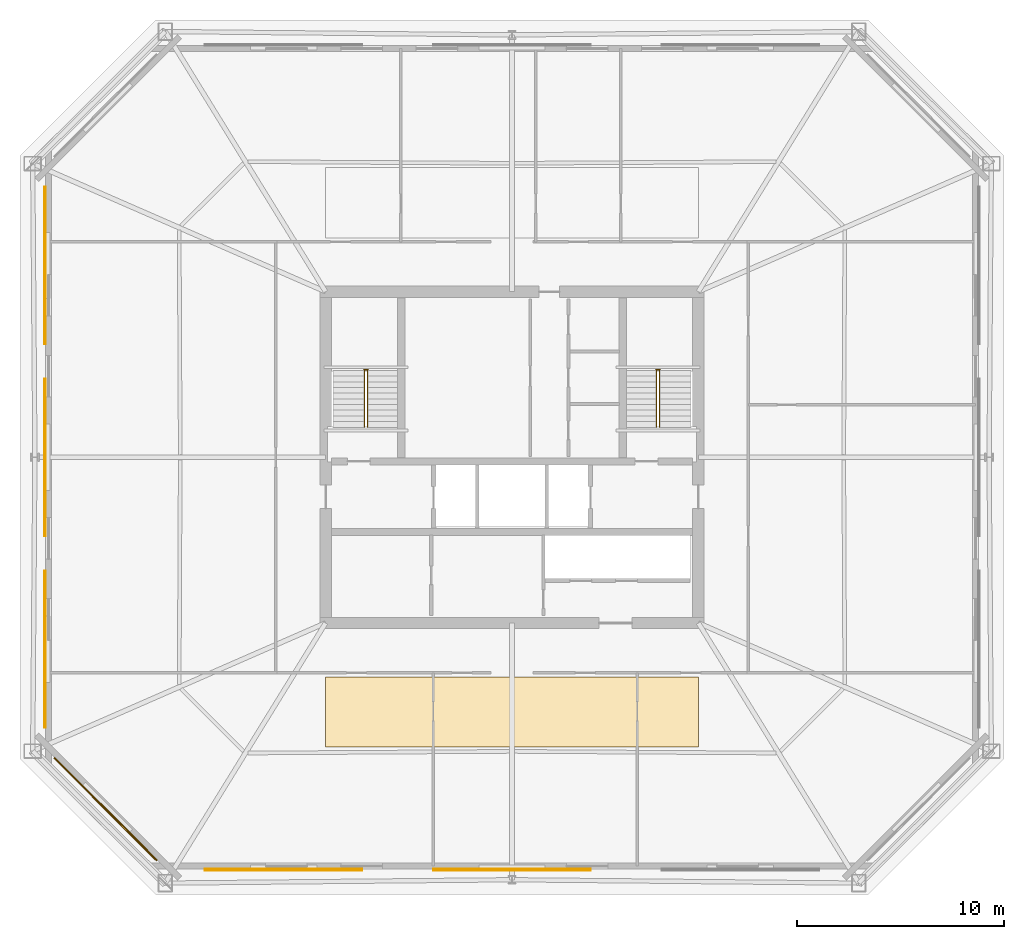
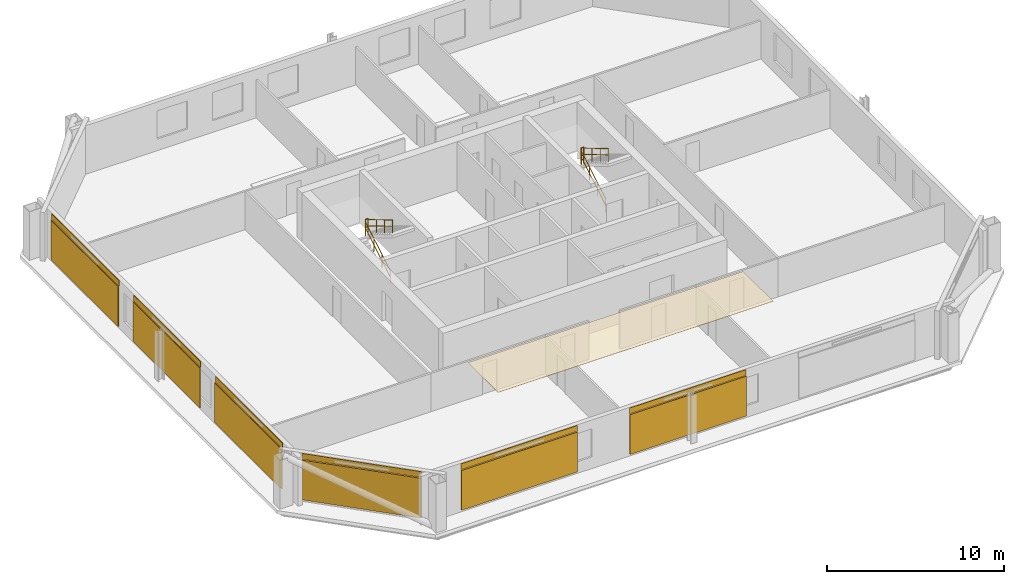
# One storey, part 5 of 6: 7 coverings, 6 railings, 6 shading devices.
"""IFC4 building model written with IfcOpenShell, lengths in metres."""

from ifc_helpers import new_model, si_unit, direction, frame, origin, origin_2d, place, context, subcontext, project, spatial, polyline, rectangle, circle, outline, extrude, material, layer, layer_set, type_object, element, save


model = new_model("IFC4")

# Units and contexts
model_context = context("Model", 3, precision=1e-05, world=origin(), true_north=direction((0.0, 1.0)))
body_context = subcontext(model_context, "Body", "Model", "MODEL_VIEW")
ifc_project = project(units=[si_unit("LENGTHUNIT", "METRE"), si_unit("AREAUNIT", "SQUARE_METRE"), si_unit("VOLUMEUNIT", "CUBIC_METRE"), si_unit("PLANEANGLEUNIT", "RADIAN"), si_unit("MASSUNIT", "GRAM", prefix="KILO")], contexts=[model_context])

# Site, building, storey
site_placement = place(None, origin())
site = spatial("IfcSite", under=ifc_project, at=site_placement, CompositionType="ELEMENT")
building_placement = place(site_placement, origin())
building = spatial("IfcBuilding", under=site, at=building_placement, Name="Caelvoria Tower", CompositionType="ELEMENT")
storey_placement = place(building_placement, frame((0.0, 0.0, 180.60009765625)))
storey = spatial("IfcBuildingStorey", under=building, at=storey_placement, Name="L47", CompositionType="ELEMENT", Elevation=180.60009765625)

# Coverings
ifc_material_1 = material(Name="Acoustic Mineral Fibre Tile", Category="gypsum")
ifc_layer_1 = layer(ifc_material_1, 0.02490234375, Name="Acoustic Mineral Fibre Tile")
ifc_layer_set_1 = layer_set([ifc_layer_1], Name="Mineral-Fibre Acoustic Suspended Ceiling 25 - Acoustic Mineral Fibre Tile")
covering_type_1 = type_object("IfcCoveringType", Name="Mineral-Fibre Acoustic Suspended Ceiling 25", PredefinedType="CEILING", material=ifc_layer_set_1)
covering_1_placement = place(storey_placement, frame((0.0, 0.0, 2.635009765625)))
element("IfcCovering", 1, at=covering_1_placement, inside=storey, type_object=covering_type_1, Name="Suspended Acoustic Ceiling L47", PredefinedType="CEILING", context=body_context, shape_type="SweptSolid", body=[
    extrude(outline(polyline([(37.0, 18.0), (55.0, 18.0), (55.0, 21.39990234375), (37.0, 21.39990234375), (37.0, 18.0)])), origin(), (0.0, 0.0, 1.0), 0.02490234375),
])
ifc_material_2 = material(Name="Perforated Architectural Bronze Cladding Screen", Category="bronze")
ifc_layer_2 = layer(ifc_material_2, 0.0400390625, Name="Perforated Architectural Bronze Cladding Screen")
ifc_layer_set_2 = layer_set([ifc_layer_2], Name="Perforated Bronze Louvre Cladding Band 40 - Perforated Architectural Bronze Cladding Screen")
covering_type_2 = type_object("IfcCoveringType", Name="Perforated Bronze Louvre Cladding Band 40", PredefinedType="CLADDING", material=ifc_layer_set_2)
for number, where, z_axis, x_axis, name in (
    (2, (34.973388671875, 12.10791015625, 2.93994140625), (0.0, 0.0, 1.0), (1.0, 0.0, 0.0), "Perforated Bronze Screen Band L47-E0-00"),
    (3, (46.0, 12.10791015625, 2.93994140625), (0.0, 0.0, 1.0), (1.0, 0.0, 0.0), "Perforated Bronze Screen Band L47-E0-01"),
    (4, (23.468017578125, 41.2666015625, 2.93994140625), (0.0, 0.0, 1.0), (0.0, -1.0, 0.0), "Perforated Bronze Screen Band L47-E6-00"),
    (5, (23.468017578125, 32.0, 2.93994140625), (0.0, 0.0, 1.0), (0.0, -1.0, 0.0), "Perforated Bronze Screen Band L47-E6-01"),
    (6, (23.468017578125, 22.7333984375, 2.93994140625), (0.0, 0.0, 1.0), (0.0, -1.0, 0.0), "Perforated Bronze Screen Band L47-E6-02"),
):
    element("IfcCovering", number, at=place(storey_placement, frame(where, z_axis=z_axis, x_axis=x_axis)), inside=storey, type_object=covering_type_2, Name=name, PredefinedType="CLADDING", context=body_context, shape_type="SweptSolid", body=[
        extrude(rectangle(XDim=7.60009765625, YDim=0.0400390625, at=origin_2d()), origin(), (0.0, 0.0, 1.0), 0.39990234375),
    ])
covering_2_placement = place(storey_placement, frame((26.38818359375, 15.0283203125, 2.93994140625), z_axis=(0.0, 0.0, 1.0), x_axis=(0.707106781187, -0.707106781187, 0.0)))
element("IfcCovering", 7, at=covering_2_placement, inside=storey, type_object=covering_type_2, Name="Perforated Bronze Screen Band L47-E7-00", PredefinedType="CLADDING", context=body_context, shape_type="SweptSolid", body=[
    extrude(rectangle(XDim=7.00244140625, YDim=0.0400390625, at=origin_2d()), origin(), (0.0, 0.0, 1.0), 0.39990234375),
])

# Shading devices
ifc_material_3 = material(Name="Perforated Architectural Bronze Alloy Panel", Category="bronze")
ifc_layer_3 = layer(ifc_material_3, 0.044921875, Name="Perforated Architectural Bronze Alloy Panel")
ifc_layer_set_3 = layer_set([ifc_layer_3], Name="Perforated Bronze Solar Screen Panel SCREEN - Perforated Architectural Bronze Alloy Panel")
shading_device_type = type_object("IfcShadingDeviceType", Name="Perforated Bronze Solar Screen Panel SCREEN", PredefinedType="USERDEFINED", material=ifc_layer_set_3)
for number, where, z_axis, x_axis, name in (
    (8, (34.973388671875, 12.06494140625, 0.159912109375), (0.0, 0.0, 1.0), (1.0, 0.0, 0.0), "Perforated Bronze Solar Screen L47-E0-00"),
    (9, (46.0, 12.06494140625, 0.159912109375), (0.0, 0.0, 1.0), (1.0, 0.0, 0.0), "Perforated Bronze Solar Screen L47-E0-01"),
    (10, (23.425048828125, 41.2666015625, 0.159912109375), (0.0, 0.0, 1.0), (0.0, -1.0, 0.0), "Perforated Bronze Solar Screen L47-E6-00"),
    (11, (23.425048828125, 32.0, 0.159912109375), (0.0, 0.0, 1.0), (0.0, -1.0, 0.0), "Perforated Bronze Solar Screen L47-E6-01"),
    (12, (23.425048828125, 22.7333984375, 0.159912109375), (0.0, 0.0, 1.0), (0.0, -1.0, 0.0), "Perforated Bronze Solar Screen L47-E6-02"),
):
    element("IfcShadingDevice", number, at=place(storey_placement, frame(where, z_axis=z_axis, x_axis=x_axis)), inside=storey, type_object=shading_device_type, Name=name, ObjectType="SCREEN", PredefinedType="USERDEFINED", context=body_context, shape_type="SweptSolid", body=[
        extrude(rectangle(XDim=7.60009765625, YDim=0.044921875, at=origin_2d()), origin(), (0.0, 0.0, 1.0), 2.75),
    ])
shading_device_placement = place(storey_placement, frame((26.35791015625, 14.997802734375, 0.159912109375), z_axis=(0.0, 0.0, 1.0), x_axis=(0.707106781187, -0.707106781187, 0.0)))
element("IfcShadingDevice", 13, at=shading_device_placement, inside=storey, type_object=shading_device_type, Name="Perforated Bronze Solar Screen L47-E7-00", ObjectType="SCREEN", PredefinedType="USERDEFINED", context=body_context, shape_type="SweptSolid", body=[
    extrude(rectangle(XDim=7.00244140625, YDim=0.044921875, at=origin_2d()), origin(), (0.0, 0.0, 1.0), 2.75),
])

# Railings
ifc_material_4 = material(Name="Brushed Stainless Steel Tube", Category="steel")
railing_type_1 = type_object("IfcRailingType", Name="Stair Tubular Stainless Handrail 920", PredefinedType="HANDRAIL", material=ifc_material_4)
railing_1_placement = place(storey_placement, frame((38.8701171875, 33.449951171875, 0.16357421875)))
element("IfcRailing", 14, at=railing_1_placement, inside=storey, type_object=railing_type_1, Name="ST-01 Flight 1 Handrail L47", PredefinedType="HANDRAIL", context=body_context, shape_type="SweptSolid", body=[
    extrude(circle(Radius=0.02392578125, at=origin_2d()), frame((0.0, 0.0, 0.89599609375), z_axis=(0.0, 0.859385484447, 0.511328259656), x_axis=(-1.0, 0.0, 0.0)), (0.0, 0.0, 1.0), 3.199951171875),
    extrude(circle(Radius=0.02392578125, at=origin_2d()), frame((0.0, 0.0, 0.4599609375), z_axis=(0.0, 0.859385484447, 0.511328259656), x_axis=(-1.0, 0.0, 0.0)), (0.0, 0.0, 1.0), 3.199951171875),
    extrude(circle(Radius=0.02099609375, at=origin_2d()), origin(), (0.0, 0.0, 1.0), 0.871826171875),
    extrude(circle(Radius=0.02099609375, at=origin_2d()), frame((0.0, 0.916748046875, 0.54541015625)), (0.0, 0.0, 1.0), 0.871826171875),
    extrude(circle(Radius=0.02099609375, at=origin_2d()), frame((0.0, 1.833251953125, 1.0908203125)), (0.0, 0.0, 1.0), 0.871826171875),
    extrude(circle(Radius=0.02099609375, at=origin_2d()), frame((0.0, 2.75, 1.63623046875)), (0.0, 0.0, 1.0), 0.871826171875),
])
railing_2_placement = place(storey_placement, frame((39.030029296875, 36.199951171875, 1.963623046875)))
element("IfcRailing", 15, at=railing_2_placement, inside=storey, type_object=railing_type_1, Name="ST-01 Flight 2 Handrail L47", PredefinedType="HANDRAIL", context=body_context, shape_type="SweptSolid", body=[
    extrude(circle(Radius=0.02392578125, at=origin_2d()), frame((0.0, 0.0, 0.89599609375), z_axis=(0.0, -0.859385484447, 0.511328259656), x_axis=(1.0, 0.0, 0.0)), (0.0, 0.0, 1.0), 3.199951171875),
    extrude(circle(Radius=0.02392578125, at=origin_2d()), frame((0.0, 0.0, 0.4599609375), z_axis=(0.0, -0.859385484447, 0.511328259656), x_axis=(1.0, 0.0, 0.0)), (0.0, 0.0, 1.0), 3.199951171875),
    extrude(circle(Radius=0.02099609375, at=origin_2d()), origin(), (0.0, 0.0, 1.0), 0.871826171875),
    extrude(circle(Radius=0.02099609375, at=origin_2d()), frame((0.0, -0.916748046875, 0.54541015625)), (0.0, 0.0, 1.0), 0.871826171875),
    extrude(circle(Radius=0.02099609375, at=origin_2d()), frame((0.0, -1.833251953125, 1.0908203125)), (0.0, 0.0, 1.0), 0.871826171875),
    extrude(circle(Radius=0.02099609375, at=origin_2d()), frame((0.0, -2.75, 1.63623046875)), (0.0, 0.0, 1.0), 0.871826171875),
])
railing_3_placement = place(storey_placement, frame((52.969970703125, 33.449951171875, 0.16357421875)))
element("IfcRailing", 16, at=railing_3_placement, inside=storey, type_object=railing_type_1, Name="ST-02 Flight 1 Handrail L47", PredefinedType="HANDRAIL", context=body_context, shape_type="SweptSolid", body=[
    extrude(circle(Radius=0.02392578125, at=origin_2d()), frame((0.0, 0.0, 0.89599609375), z_axis=(0.0, 0.859385484447, 0.511328259656), x_axis=(-1.0, 0.0, 0.0)), (0.0, 0.0, 1.0), 3.199951171875),
    extrude(circle(Radius=0.02392578125, at=origin_2d()), frame((0.0, 0.0, 0.4599609375), z_axis=(0.0, 0.859385484447, 0.511328259656), x_axis=(-1.0, 0.0, 0.0)), (0.0, 0.0, 1.0), 3.199951171875),
    extrude(circle(Radius=0.02099609375, at=origin_2d()), origin(), (0.0, 0.0, 1.0), 0.871826171875),
    extrude(circle(Radius=0.02099609375, at=origin_2d()), frame((0.0, 0.916748046875, 0.54541015625)), (0.0, 0.0, 1.0), 0.871826171875),
    extrude(circle(Radius=0.02099609375, at=origin_2d()), frame((0.0, 1.833251953125, 1.0908203125)), (0.0, 0.0, 1.0), 0.871826171875),
    extrude(circle(Radius=0.02099609375, at=origin_2d()), frame((0.0, 2.75, 1.63623046875)), (0.0, 0.0, 1.0), 0.871826171875),
])
railing_4_placement = place(storey_placement, frame((53.1298828125, 36.199951171875, 1.963623046875)))
element("IfcRailing", 17, at=railing_4_placement, inside=storey, type_object=railing_type_1, Name="ST-02 Flight 2 Handrail L47", PredefinedType="HANDRAIL", context=body_context, shape_type="SweptSolid", body=[
    extrude(circle(Radius=0.02392578125, at=origin_2d()), frame((0.0, 0.0, 0.89599609375), z_axis=(0.0, -0.859385484447, 0.511328259656), x_axis=(1.0, 0.0, 0.0)), (0.0, 0.0, 1.0), 3.199951171875),
    extrude(circle(Radius=0.02392578125, at=origin_2d()), frame((0.0, 0.0, 0.4599609375), z_axis=(0.0, -0.859385484447, 0.511328259656), x_axis=(1.0, 0.0, 0.0)), (0.0, 0.0, 1.0), 3.199951171875),
    extrude(circle(Radius=0.02099609375, at=origin_2d()), origin(), (0.0, 0.0, 1.0), 0.871826171875),
    extrude(circle(Radius=0.02099609375, at=origin_2d()), frame((0.0, -0.916748046875, 0.54541015625)), (0.0, 0.0, 1.0), 0.871826171875),
    extrude(circle(Radius=0.02099609375, at=origin_2d()), frame((0.0, -1.833251953125, 1.0908203125)), (0.0, 0.0, 1.0), 0.871826171875),
    extrude(circle(Radius=0.02099609375, at=origin_2d()), frame((0.0, -2.75, 1.63623046875)), (0.0, 0.0, 1.0), 0.871826171875),
])
ifc_material_5 = material(Name="Brushed Stainless Steel Guardrail", Category="steel")
railing_type_2 = type_object("IfcRailingType", Name="Stair Well and Ramp Guardrail 1120", PredefinedType="GUARDRAIL", material=ifc_material_5)
for number, where, name in (
    (18, (38.8701171875, 36.239990234375, 1.7998046875), "ST-01 Half-Landing Well Guard L47"),
    (19, (52.969970703125, 36.239990234375, 1.7998046875), "ST-02 Half-Landing Well Guard L47"),
):
    element("IfcRailing", number, at=place(storey_placement, frame(where)), inside=storey, type_object=railing_type_2, Name=name, PredefinedType="GUARDRAIL", context=body_context, shape_type="SweptSolid", body=[
        extrude(circle(Radius=0.02392578125, at=origin_2d()), frame((0.0, 0.0, 1.09619140625), z_axis=(1.0, 0.0, 0.0), x_axis=(0.0, 1.0, 0.0)), (0.0, 0.0, 1.0), 0.159912109375),
        extrude(circle(Radius=0.02392578125, at=origin_2d()), frame((0.0, 0.0, 0.56005859375), z_axis=(1.0, 0.0, 0.0), x_axis=(0.0, 1.0, 0.0)), (0.0, 0.0, 1.0), 0.159912109375),
        extrude(circle(Radius=0.02099609375, at=origin_2d()), origin(), (0.0, 0.0, 1.0), 1.072021484375),
        extrude(circle(Radius=0.02099609375, at=origin_2d()), frame((0.159912109375, 0.0, 0.0)), (0.0, 0.0, 1.0), 1.072021484375),
    ])

save(model, "model.ifc")
